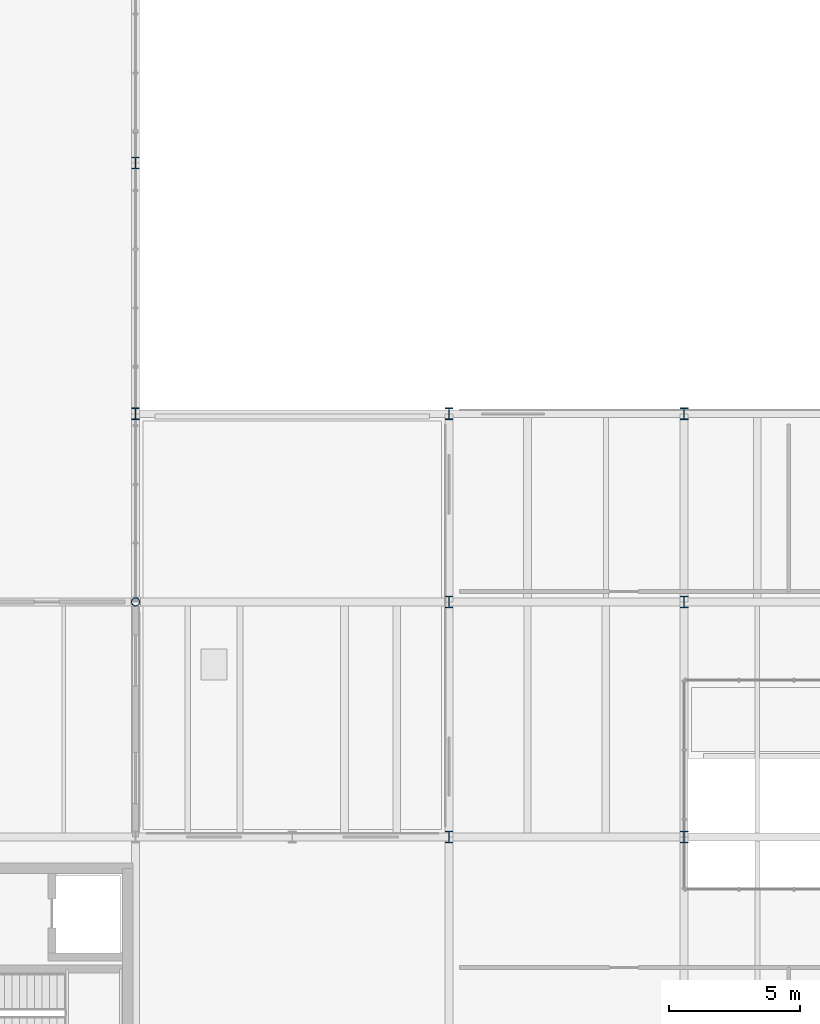
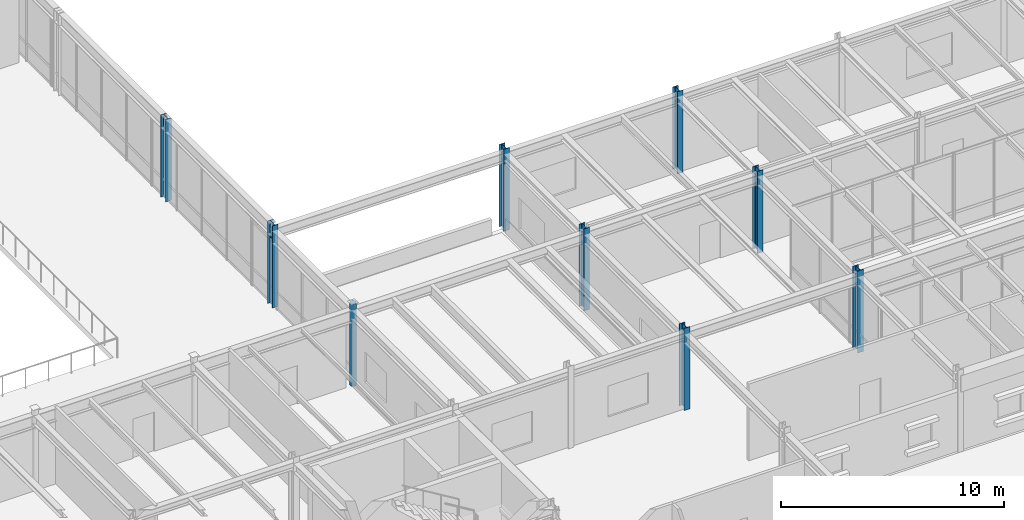
# One storey, part 7 of 64: 9 columns.
"""IFC4 building model written with IfcOpenShell, lengths in metres."""

import ifcopenshell
import ifcopenshell.guid

model = None  # the IFC model being written
_history = None  # IfcOwnerHistory: only IFC2X3 demands one
_inside = {}  # id of a spatial element -> (the spatial element, [elements in it])
_under = {}  # id of a project, library or spatial element -> (it, [spatial elements below it])
_declared = {}  # id of a project -> (the project, [libraries it declares])
_typed = {}  # id of a type object -> (the type object, [elements of that type])
_made_of = {}  # id of a material, layer set ... -> (it, [elements and type objects made of it])


def new_model(schema):
    """Start an empty IFC model of exactly this schema.

    Asked for "IFC4X3", IfcOpenShell would pick the latest addendum, in which some entities
    have other attributes; the version numbers below select the first issue.
    IFC2X3 requires an IfcOwnerHistory on every rooted entity: one is made here for all.
    """
    global model, _history
    if schema == "IFC4X3":
        model = ifcopenshell.file(schema_version=(4, 3, 0, 0))
    else:
        model = ifcopenshell.file(schema=schema)
    _inside.clear()
    _under.clear()
    _declared.clear()
    _typed.clear()
    _made_of.clear()
    _history = None
    if model.schema == "IFC2X3":
        org = make("IfcOrganization", Name="unknown")
        user = make(
            "IfcPersonAndOrganization",
            ThePerson=make("IfcPerson", FamilyName="unknown"),
            TheOrganization=org,
        )
        app = make(
            "IfcApplication",
            ApplicationDeveloper=org,
            Version="unknown",
            ApplicationFullName="unknown",
            ApplicationIdentifier="unknown",
        )
        _history = make(
            "IfcOwnerHistory",
            OwningUser=user,
            OwningApplication=app,
            ChangeAction="ADDED",
            CreationDate=0,
        )
    return model


def make(cls, **values):
    """One entity of the class cls with the attributes given. An attribute that is None is left unset."""
    return model.create_entity(
        cls, **{name: value for name, value in values.items() if value is not None}
    )


def rooted(cls, **values):
    """An entity with a GlobalId (a new one), such as an element, a storey or a relation."""
    return make(cls, GlobalId=ifcopenshell.guid.new(), OwnerHistory=_history, **values)


def si_unit(unit_type, name, prefix=None):
    """IfcSIUnit, for example si_unit("LENGTHUNIT", "METRE", prefix="MILLI")."""
    return make("IfcSIUnit", UnitType=unit_type, Prefix=prefix, Name=name)


def assignment(units):
    """IfcUnitAssignment: the units of a project."""
    return None if units is None else make("IfcUnitAssignment", Units=units)


def point(xyz):
    """IfcCartesianPoint."""
    return None if xyz is None else make("IfcCartesianPoint", Coordinates=xyz)


def direction(xyz):
    """IfcDirection."""
    return None if xyz is None else make("IfcDirection", DirectionRatios=xyz)


def frame(location, z_axis=None, x_axis=None):
    """IfcAxis2Placement3D, a coordinate frame: its origin and axes. An axis left out is left unset."""
    return make(
        "IfcAxis2Placement3D",
        Location=point(location),
        Axis=direction(z_axis),
        RefDirection=direction(x_axis),
    )


def frame_2d(location, x_axis=None):
    """IfcAxis2Placement2D, a coordinate frame in the plane: its origin and x axis."""
    return make(
        "IfcAxis2Placement2D", Location=point(location), RefDirection=direction(x_axis)
    )


def origin():
    """The frame at (0, 0, 0) with its axes left unset."""
    return frame((0.0, 0.0, 0.0))


def origin_2d():
    """The frame at (0, 0) in the plane with its x axis left unset."""
    return frame_2d((0.0, 0.0))


def place(relative_to, where):
    """IfcLocalPlacement: puts the frame where relative to a parent placement (None: the world)."""
    return make(
        "IfcLocalPlacement", PlacementRelTo=relative_to, RelativePlacement=where
    )


def context(
    kind, dimensions, precision=None, world=None, true_north=None, identifier=None
):
    """IfcGeometricRepresentationContext, for example the 3D "Model" context."""
    return make(
        "IfcGeometricRepresentationContext",
        ContextIdentifier=identifier,
        ContextType=kind,
        CoordinateSpaceDimension=dimensions,
        Precision=precision,
        WorldCoordinateSystem=world,
        TrueNorth=true_north,
    )


def subcontext(parent, identifier, kind, view, scale=None):
    """IfcGeometricRepresentationSubContext, for example "Body" below "Model"."""
    return make(
        "IfcGeometricRepresentationSubContext",
        ContextIdentifier=identifier,
        ContextType=kind,
        ParentContext=parent,
        TargetScale=scale,
        TargetView=view,
    )


def project(units=None, contexts=None):
    """IfcProject with its units and contexts."""
    return rooted(
        "IfcProject",
        Name="project",
        RepresentationContexts=contexts,
        UnitsInContext=assignment(units),
    )


def spatial(cls, under=None, at=None, **own):
    """A site, building, storey or space (cls), placed at a placement, below another one or the project."""
    s = rooted(cls, ObjectPlacement=at, **own)
    if under is not None:
        _under.setdefault(under.id(), (under, []))[1].append(s)
    return s


def profile(cls, at=None, kind="AREA", **sizes):
    """A parametric profile (cls). Its sizes go by their IFC names, for example OverallWidth=200.0."""
    return make(cls, ProfileType=kind, Position=at, **sizes)


def hollow_circle(**sizes):
    """IfcCircleHollowProfileDef."""
    return profile("IfcCircleHollowProfileDef", **sizes)


def i_section(**sizes):
    """IfcIShapeProfileDef."""
    return profile("IfcIShapeProfileDef", **sizes)


def extrude(swept, where, along, depth):
    """IfcExtrudedAreaSolid: the profile swept, set in the frame where, extruded along a direction by depth."""
    return make(
        "IfcExtrudedAreaSolid",
        SweptArea=swept,
        Position=where,
        ExtrudedDirection=direction(along),
        Depth=depth,
    )


def shape(context_of_items, identifier, shape_type, items):
    """IfcShapeRepresentation: the items that make up one representation, for example the "Body"."""
    return make(
        "IfcShapeRepresentation",
        ContextOfItems=context_of_items,
        RepresentationIdentifier=identifier,
        RepresentationType=shape_type,
        Items=items,
    )


def material(Name=None, Category=None):
    """IfcMaterial."""
    return make("IfcMaterial", Name=Name, Category=Category)


def material_profile(
    of_material, cross_section, Name=None, Category=None, Priority=None
):
    """IfcMaterialProfile: a cross section and its material."""
    return make(
        "IfcMaterialProfile",
        Name=Name,
        Material=of_material,
        Profile=cross_section,
        Priority=Priority,
        Category=Category,
    )


def profile_set(profiles, Name=None, composite=None):
    """IfcMaterialProfileSet."""
    return make(
        "IfcMaterialProfileSet",
        Name=Name,
        MaterialProfiles=profiles,
        CompositeProfile=composite,
    )


def made_of(thing, what):
    """Note that an element or type object is made of a material, layer set ...; save() writes the relation."""
    if what is not None:
        _made_of.setdefault(what.id(), (what, []))[1].append(thing)
    return thing


def type_object(cls, material=None, **own):
    """A type object (cls), such as IfcWallType, which elements share."""
    return made_of(rooted(cls, **own), material)


def element(
    cls,
    number,
    at=None,
    inside=None,
    cuts=None,
    type_object=None,
    material=None,
    context=None,
    identifier="Body",
    shape_type=None,
    held_by="IfcProductDefinitionShape",
    body=None,
    shapes=None,
    **own,
):
    """One element of the class cls, such as IfcWall. Its Tag is "e" and its number.

    at: its placement. inside: the storey or other place that contains it. cuts: it is an
    opening in that element (IfcRelVoidsElement). A single representation is given by context,
    identifier, shape_type and body (its items); several are given by shapes. held_by: the class
    of the entity that holds the representations. save() writes the other relations.
    """
    e = rooted(cls, Tag="e%d" % number, ObjectPlacement=at, **own)
    if body is not None:
        shapes = [shape(context, identifier, shape_type, body)]
    if shapes is not None:
        e.Representation = make(held_by, Representations=shapes)
    if inside is not None:
        _inside.setdefault(inside.id(), (inside, []))[1].append(e)
    if cuts is not None:
        rooted(
            "IfcRelVoidsElement", RelatingBuildingElement=cuts, RelatedOpeningElement=e
        )
    if type_object is not None:
        _typed.setdefault(type_object.id(), (type_object, []))[1].append(e)
    return made_of(e, material)


def aggregate(whole, parts):
    """IfcRelAggregates: a whole, such as a stair, and the parts it consists of."""
    return rooted("IfcRelAggregates", RelatingObject=whole, RelatedObjects=parts)


def save(model, path):
    """Write the relations noted so far, then the file.

    IfcRelAggregates (storeys below a building ...), IfcRelContainedInSpatialStructure (elements
    in a storey), IfcRelDefinesByType, IfcRelAssociatesMaterial and IfcRelDeclares: one each for
    every whole, place, type object, material and project.
    """
    for whole, parts in _under.values():
        aggregate(whole, parts)
    for where, things in _inside.values():
        rooted(
            "IfcRelContainedInSpatialStructure",
            RelatedElements=things,
            RelatingStructure=where,
        )
    for kind, things in _typed.values():
        rooted("IfcRelDefinesByType", RelatedObjects=things, RelatingType=kind)
    for what, things in _made_of.values():
        rooted("IfcRelAssociatesMaterial", RelatedObjects=things, RelatingMaterial=what)
    for by, libraries in _declared.values():
        rooted("IfcRelDeclares", RelatingContext=by, RelatedDefinitions=libraries)
    model.write(path)


model = new_model("IFC4")

# Units and contexts
model_context = context("Model", 3, precision=1e-05, world=origin(), true_north=direction((0.0, 1.0)))
body_context = subcontext(model_context, "Body", "Model", "MODEL_VIEW")
ifc_project = project(units=[si_unit("LENGTHUNIT", "METRE"), si_unit("AREAUNIT", "SQUARE_METRE"), si_unit("VOLUMEUNIT", "CUBIC_METRE"), si_unit("PLANEANGLEUNIT", "RADIAN"), si_unit("MASSUNIT", "GRAM", prefix="KILO")], contexts=[model_context])

# Site, building, storey
site_placement = place(None, origin())
site = spatial("IfcSite", under=ifc_project, at=site_placement, CompositionType="ELEMENT")
building_placement = place(site_placement, origin())
building = spatial("IfcBuilding", under=site, at=building_placement, Name="Montealbar Specialist Clinic", CompositionType="ELEMENT")
storey_placement = place(building_placement, frame((0.0, 0.0, 5.10009765625)))
storey = spatial("IfcBuildingStorey", under=building, at=storey_placement, Name="L01", CompositionType="ELEMENT", Elevation=5.10009765625)

# Columns
ifc_material = material(Name="Steel S355", Category="steel")
ifc_material_profile_1 = material_profile(ifc_material, hollow_circle(Radius=0.161865234375, WallThickness=0.01611328125, at=origin_2d()), Name="CHS 323.9x16.0", Category="steel")
ifc_profile_set_1 = profile_set([ifc_material_profile_1], Name="Steel S355")
column_type_1 = type_object("IfcColumnType", Name="COL-CHS-HALL-EXT", PredefinedType="COLUMN", material=ifc_profile_set_1)
column_1_placement = place(storey_placement, frame((99.0, 45.0, 0.0), z_axis=(0.0, 0.0, 1.0), x_axis=(1.0, 0.0, 0.0)))
element("IfcColumn", 1, at=column_1_placement, inside=storey, type_object=column_type_1, Name="Column 13/F L01", PredefinedType="COLUMN", context=body_context, shape_type="SweptSolid", body=[
    extrude(hollow_circle(Radius=0.161865234375, WallThickness=0.01611328125, at=origin_2d()), origin(), (0.0, 0.0, 1.0), 4.5),
])
ifc_material_profile_2 = material_profile(ifc_material, i_section(OverallWidth=0.300048828125, OverallDepth=0.449951171875, WebThickness=0.013916015625, FlangeThickness=0.02587890625, FilletRadius=0.027099609375, at=origin_2d()), Name="HEB 450", Category="steel")
ifc_profile_set_2 = profile_set([ifc_material_profile_2], Name="Steel S355")
column_type_2 = type_object("IfcColumnType", Name="COL-S-L01-STD", PredefinedType="COLUMN", material=ifc_profile_set_2)
column_2_placement = place(storey_placement, frame((120.0, 45.0, 0.0), z_axis=(0.0, 0.0, 1.0), x_axis=(1.0, 0.0, 0.0)))
element("IfcColumn", 2, at=column_2_placement, inside=storey, type_object=column_type_2, Name="Column 16/F L01", PredefinedType="COLUMN", context=body_context, shape_type="SweptSolid", body=[
    extrude(i_section(OverallWidth=0.300048828125, OverallDepth=0.449951171875, WebThickness=0.013916015625, FlangeThickness=0.02587890625, FilletRadius=0.027099609375, at=origin_2d()), origin(), (0.0, 0.0, 1.0), 4.5),
])
ifc_material_profile_3 = material_profile(ifc_material, i_section(OverallWidth=0.300048828125, OverallDepth=0.449951171875, WebThickness=0.013916015625, FlangeThickness=0.02587890625, FilletRadius=0.027099609375, at=origin_2d()), Name="HEB 450", Category="steel")
ifc_profile_set_3 = profile_set([ifc_material_profile_3], Name="Steel S355")
column_type_3 = type_object("IfcColumnType", Name="COL-S-L01-STD-EXT", PredefinedType="COLUMN", material=ifc_profile_set_3)
for number, where, z_axis, x_axis, name in (
    (3, (99.0, 52.199951171875, 0.0), (0.0, 0.0, 1.0), (1.0, 0.0, 0.0), "Column 13/G L01"),
    (4, (99.0, 61.800048828125, 0.0), (0.0, 0.0, 1.0), (1.0, 0.0, 0.0), "Column 13/H L01"),
    (5, (111.0, 36.0, 0.0), (0.0, 0.0, 1.0), (1.0, 0.0, 0.0), "Column 15/E L01"),
    (6, (111.0, 45.0, 0.0), (0.0, 0.0, 1.0), (1.0, 0.0, 0.0), "Column 15/F L01"),
    (7, (111.0, 52.199951171875, 0.0), (0.0, 0.0, 1.0), (1.0, 0.0, 0.0), "Column 15/G L01"),
    (8, (120.0, 36.0, 0.0), (0.0, 0.0, 1.0), (1.0, 0.0, 0.0), "Column 16/E L01"),
    (9, (120.0, 52.199951171875, 0.0), (0.0, 0.0, 1.0), (1.0, 0.0, 0.0), "Column 16/G L01"),
):
    element("IfcColumn", number, at=place(storey_placement, frame(where, z_axis=z_axis, x_axis=x_axis)), inside=storey, type_object=column_type_3, Name=name, PredefinedType="COLUMN", context=body_context, shape_type="SweptSolid", body=[
        extrude(i_section(OverallWidth=0.300048828125, OverallDepth=0.449951171875, WebThickness=0.013916015625, FlangeThickness=0.02587890625, FilletRadius=0.027099609375, at=origin_2d()), origin(), (0.0, 0.0, 1.0), 4.5),
    ])

save(model, "model.ifc")
